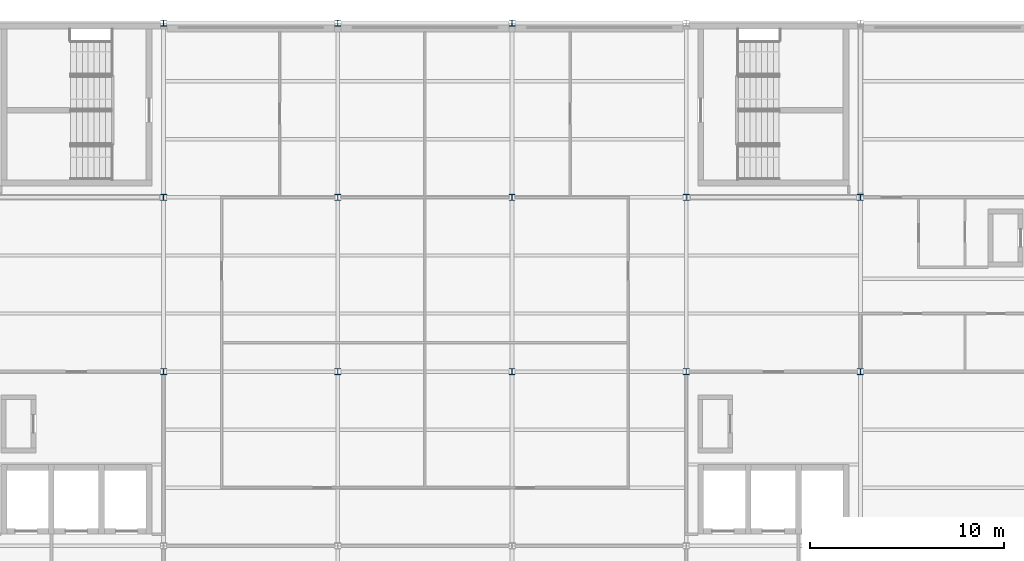
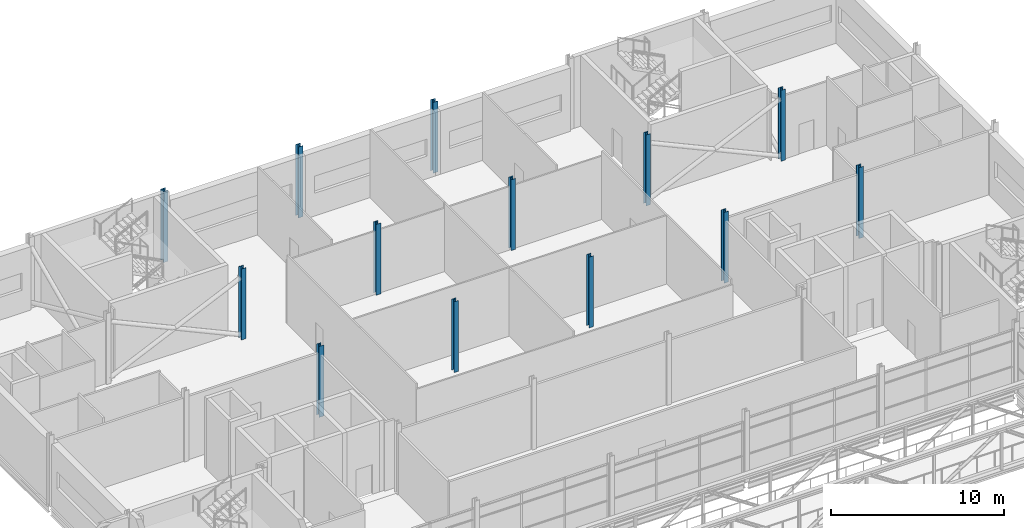
# One storey, part 13 of 115: 13 columns.
"""IFC4 building model written with IfcOpenShell, lengths in metres."""

from ifc_helpers import new_model, si_unit, direction, frame, origin, origin_2d, place, context, subcontext, project, spatial, i_section, extrude, material, material_profile, profile_set, type_object, element, save


model = new_model("IFC4")

# Units and contexts
model_context = context("Model", 3, precision=1e-05, world=origin(), true_north=direction((0.0, 1.0)))
body_context = subcontext(model_context, "Body", "Model", "MODEL_VIEW")
ifc_project = project(units=[si_unit("LENGTHUNIT", "METRE"), si_unit("AREAUNIT", "SQUARE_METRE"), si_unit("VOLUMEUNIT", "CUBIC_METRE"), si_unit("PLANEANGLEUNIT", "RADIAN"), si_unit("MASSUNIT", "GRAM", prefix="KILO")], contexts=[model_context])

# Site, building, storey
site_placement = place(None, origin())
site = spatial("IfcSite", under=ifc_project, at=site_placement, CompositionType="ELEMENT")
building_placement = place(site_placement, origin())
building = spatial("IfcBuilding", under=site, at=building_placement, Name="Shorebreak Coast Museum", CompositionType="ELEMENT")
storey_placement = place(building_placement, frame((0.0, 0.0, 11.0)))
storey = spatial("IfcBuildingStorey", under=building, at=storey_placement, Name="L02", CompositionType="ELEMENT", Elevation=11.0)

# Columns
ifc_material_1 = material(Name="Steel Grade 300", Category="steel")
ifc_material_profile_1 = material_profile(ifc_material_1, i_section(OverallWidth=0.306884765625, OverallDepth=0.314697265625, WebThickness=0.011962890625, FlangeThickness=0.018798828125, FilletRadius=0.0166015625, at=origin_2d()), Name="310UC118")
ifc_profile_set_1 = profile_set([ifc_material_profile_1], Name="Steel Grade 300")
column_type_1 = type_object("IfcColumnType", Name="Column 310UC118", PredefinedType="COLUMN", material=ifc_profile_set_1)
for number, where, z_axis, x_axis, name in (
    (1, (72.0, 99.0, 0.0), (0.0, 0.0, 1.0), (1.0, 0.0, 0.0), "Column L02 9M"),
    (2, (81.0, 99.0, 0.0), (0.0, 0.0, 1.0), (1.0, 0.0, 0.0), "Column L02 10M"),
    (3, (90.0, 99.0, 0.0), (0.0, 0.0, 1.0), (1.0, 0.0, 0.0), "Column L02 11M"),
    (4, (99.0, 99.0, 0.0), (0.0, 0.0, 1.0), (1.0, 0.0, 0.0), "Column L02 12M"),
    (5, (108.0, 99.0, 0.0), (0.0, 0.0, 1.0), (1.0, 0.0, 0.0), "Column L02 13M"),
    (6, (72.0, 108.0, 0.0), (0.0, 0.0, 1.0), (1.0, 0.0, 0.0), "Column L02 9N"),
    (7, (81.0, 108.0, 0.0), (0.0, 0.0, 1.0), (1.0, 0.0, 0.0), "Column L02 10N"),
    (8, (90.0, 108.0, 0.0), (0.0, 0.0, 1.0), (1.0, 0.0, 0.0), "Column L02 11N"),
    (9, (99.0, 108.0, 0.0), (0.0, 0.0, 1.0), (1.0, 0.0, 0.0), "Column L02 12N"),
    (10, (108.0, 108.0, 0.0), (0.0, 0.0, 1.0), (1.0, 0.0, 0.0), "Column L02 13N"),
):
    element("IfcColumn", number, at=place(storey_placement, frame(where, z_axis=z_axis, x_axis=x_axis)), inside=storey, type_object=column_type_1, Name=name, PredefinedType="COLUMN", context=body_context, shape_type="SweptSolid", body=[
        extrude(i_section(OverallWidth=0.306884765625, OverallDepth=0.314697265625, WebThickness=0.011962890625, FlangeThickness=0.018798828125, FilletRadius=0.0166015625, at=origin_2d()), origin(), (0.0, 0.0, 1.0), 5.0),
    ])
ifc_material_2 = material(Name="Steel Grade 300", Category="steel")
ifc_material_profile_2 = material_profile(ifc_material_2, i_section(OverallWidth=0.31103515625, OverallDepth=0.3271484375, WebThickness=0.015625, FlangeThickness=0.02490234375, FilletRadius=0.0166015625, at=origin_2d()), Name="310UC158")
ifc_profile_set_2 = profile_set([ifc_material_profile_2], Name="Steel Grade 300")
column_type_2 = type_object("IfcColumnType", Name="Column 310UC158", PredefinedType="COLUMN", material=ifc_profile_set_2)
for number, where, z_axis, x_axis, name in (
    (11, (72.0, 117.0, 0.0), (0.0, 0.0, 1.0), (1.0, 0.0, 0.0), "Column L02 9P"),
    (12, (81.0, 117.0, 0.0), (0.0, 0.0, 1.0), (1.0, 0.0, 0.0), "Column L02 10P"),
    (13, (90.0, 117.0, 0.0), (0.0, 0.0, 1.0), (1.0, 0.0, 0.0), "Column L02 11P"),
):
    element("IfcColumn", number, at=place(storey_placement, frame(where, z_axis=z_axis, x_axis=x_axis)), inside=storey, type_object=column_type_2, Name=name, PredefinedType="COLUMN", context=body_context, shape_type="SweptSolid", body=[
        extrude(i_section(OverallWidth=0.31103515625, OverallDepth=0.3271484375, WebThickness=0.015625, FlangeThickness=0.02490234375, FilletRadius=0.0166015625, at=origin_2d()), origin(), (0.0, 0.0, 1.0), 5.0),
    ])

save(model, "model.ifc")
